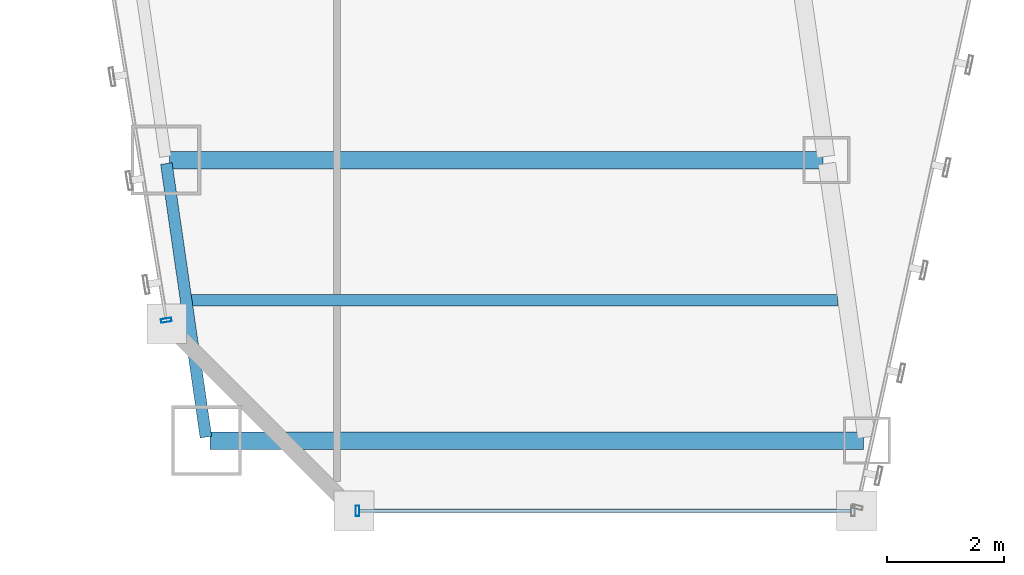
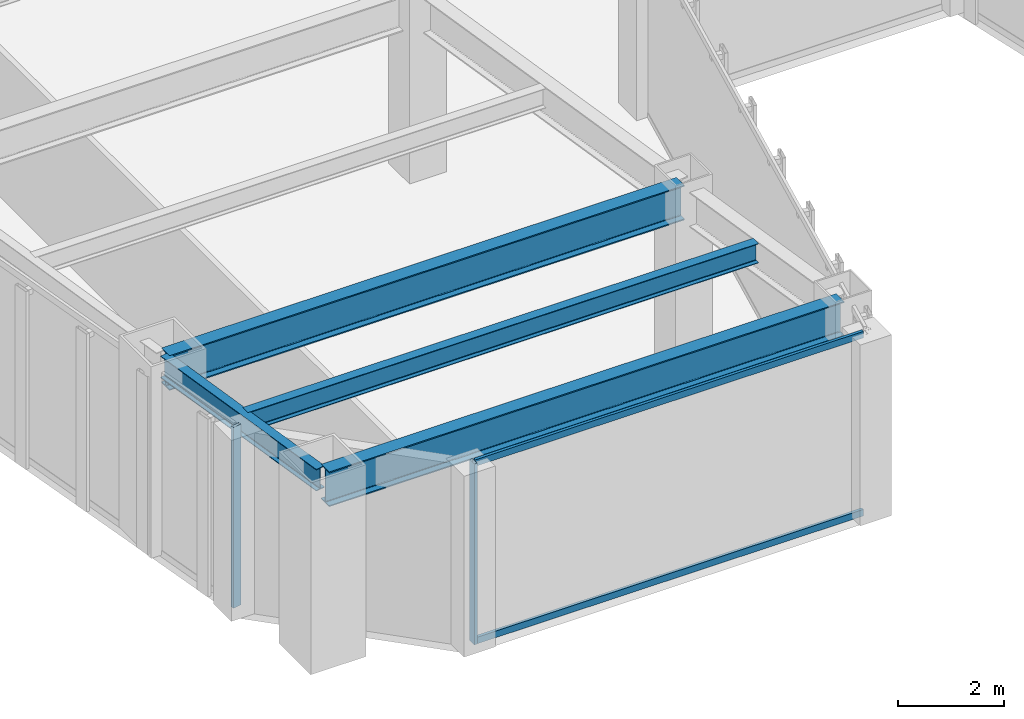
# One storey, part 4 of 47: 4 beams, 4 members, 2 elements without a shape of their own.
"""IFC4 building model written with IfcOpenShell, lengths in metres."""

from ifc_helpers import new_model, si_unit, direction, frame, origin, origin_2d, place, context, subcontext, project, spatial, hollow_rectangle, i_section, extrude, material, material_profile, profile_set, type_object, element, aggregate, save


model = new_model("IFC4")

# Units and contexts
model_context = context("Model", 3, precision=1e-05, world=origin(), true_north=direction((0.0, 1.0)))
body_context = subcontext(model_context, "Body", "Model", "MODEL_VIEW")
ifc_project = project(units=[si_unit("LENGTHUNIT", "METRE"), si_unit("AREAUNIT", "SQUARE_METRE"), si_unit("VOLUMEUNIT", "CUBIC_METRE"), si_unit("PLANEANGLEUNIT", "RADIAN"), si_unit("MASSUNIT", "GRAM", prefix="KILO")], contexts=[model_context])

# Site, building, storey
site_placement = place(None, origin())
site = spatial("IfcSite", under=ifc_project, at=site_placement, CompositionType="ELEMENT")
building_placement = place(site_placement, origin())
building = spatial("IfcBuilding", under=site, at=building_placement, Name="Saevonmaru Cultural Tower", CompositionType="ELEMENT")
storey_placement = place(building_placement, frame((0.0, 0.0, 64.800048828125)))
storey = spatial("IfcBuildingStorey", under=building, at=storey_placement, Name="L13", CompositionType="ELEMENT", Elevation=64.800048828125)

# Beams
ifc_material_1 = material(Name="Steel SM420", Category="steel")
ifc_material_profile_1 = material_profile(ifc_material_1, i_section(OverallWidth=0.300048828125, OverallDepth=0.800048828125, WebThickness=0.013916015625, FlangeThickness=0.02587890625, FilletRadius=0.028076171875, at=origin_2d()), Name="H-800x300x14x26")
ifc_profile_set_1 = profile_set([ifc_material_profile_1], Name="Steel SM420")
beam_type_1 = type_object("IfcBeamType", Name="BM-G-H800", PredefinedType="BEAM", material=ifc_profile_set_1)
for number, where, z_axis, x_axis, name in (
    (1, (12.537109375, 3.199951171875, 3.75), (1.0, 0.0, 0.0), (0.0, 1.0, 0.0), "L13 West Wing Transverse Girder 1"),
    (2, (11.843017578125, 8.0, 3.75), (1.0, 0.0, 0.0), (0.0, 1.0, 0.0), "L13 West Wing Transverse Girder 2"),
):
    element("IfcBeam", number, at=place(storey_placement, frame(where, z_axis=z_axis, x_axis=x_axis)), inside=storey, type_object=beam_type_1, Name=name, PredefinedType="BEAM", context=body_context, shape_type="SweptSolid", body=[
        extrude(i_section(OverallWidth=0.300048828125, OverallDepth=0.800048828125, WebThickness=0.013916015625, FlangeThickness=0.02587890625, FilletRadius=0.028076171875, at=origin_2d()), origin(), (0.0, 0.0, 1.0), 11.179931640625),
    ])
ifc_material_2 = material(Name="Steel SM355", Category="steel")
ifc_material_profile_2 = material_profile(ifc_material_2, i_section(OverallWidth=0.199951171875, OverallDepth=0.449951171875, WebThickness=0.009033203125, FlangeThickness=0.013916015625, FilletRadius=0.01806640625, at=origin_2d()), Name="H-450x200x9x14")
ifc_profile_set_2 = profile_set([ifc_material_profile_2], Name="Steel SM355")
beam_type_2 = type_object("IfcBeamType", Name="BM-J-H450", PredefinedType="JOIST", material=ifc_profile_set_2)
beam_1_placement = place(storey_placement, frame((12.18994140625, 5.60009765625, 3.925048828125), z_axis=(1.0, 0.0, 0.0), x_axis=(0.0, 1.0, 0.0)))
element("IfcBeam", 3, at=beam_1_placement, inside=storey, type_object=beam_type_2, Name="L13 West Wing Floor Joist 1", PredefinedType="JOIST", context=body_context, shape_type="SweptSolid", body=[
    extrude(i_section(OverallWidth=0.199951171875, OverallDepth=0.449951171875, WebThickness=0.009033203125, FlangeThickness=0.013916015625, FilletRadius=0.01806640625, at=origin_2d()), origin(), (0.0, 0.0, 1.0), 11.08203125),
])
ifc_material_profile_3 = material_profile(ifc_material_2, i_section(OverallWidth=0.199951171875, OverallDepth=0.5, WebThickness=0.010009765625, FlangeThickness=0.01611328125, FilletRadius=0.02001953125, at=origin_2d()), Name="H-500x200x10x16")
ifc_profile_set_3 = profile_set([ifc_material_profile_3], Name="Steel SM355")
beam_type_3 = type_object("IfcBeamType", Name="BM-SP-H500", PredefinedType="SPANDREL", material=ifc_profile_set_3)
beam_2_placement = place(storey_placement, frame((12.468505859375, 3.259521484375, 3.89990234375), z_axis=(-0.14313379491, 0.989703347855, 0.0), x_axis=(-0.989703347855, -0.14313379491, 0.0)))
element("IfcBeam", 4, at=beam_2_placement, inside=storey, type_object=beam_type_3, Name="L13 West Splayed Spandrel 1", PredefinedType="SPANDREL", context=body_context, shape_type="SweptSolid", body=[
    extrude(i_section(OverallWidth=0.199951171875, OverallDepth=0.5, WebThickness=0.010009765625, FlangeThickness=0.01611328125, FilletRadius=0.02001953125, at=origin_2d()), origin(), (0.0, 0.0, 1.0), 4.729736328125),
])

# Curtain wall, member
ifc_material_3 = material(Name="Satin Bronze Anodised Aluminium", Category="aluminium")
curtain_wall_type = type_object("IfcCurtainWallType", Name="CW-TYP-A", PredefinedType="NOTDEFINED", material=ifc_material_3)
curtain_wall_1_placement = place(storey_placement, origin())
curtain_wall_1 = element("IfcCurtainWall", 5, at=curtain_wall_1_placement, inside=storey, type_object=curtain_wall_type, Name="L13 Unitised Curtain Wall E2", PredefinedType="NOTDEFINED")
ifc_material_profile_4 = material_profile(ifc_material_3, hollow_rectangle(XDim=0.06494140625, YDim=0.179931640625, WallThickness=0.00390625, at=origin_2d()), Name="ALU-MULL-180x65x4")
ifc_profile_set_4 = profile_set([ifc_material_profile_4], Name="Satin Bronze Anodised Aluminium")
member_type_1 = type_object("IfcMemberType", Name="ML-CW-180x65", PredefinedType="MULLION", material=ifc_profile_set_4)
member_1_placement = place(storey_placement, frame((15.06005859375, 2.0, 0.0), z_axis=(0.0, 0.0, 1.0), x_axis=(1.0, 0.0, 0.0)))
member_1 = element("IfcMember", 6, at=member_1_placement, type_object=member_type_1, Name="CW-TW-L13-E2 mullion 1", PredefinedType="MULLION", context=body_context, shape_type="SweptSolid", body=[
    extrude(hollow_rectangle(XDim=0.06494140625, YDim=0.179931640625, WallThickness=0.00390625, at=origin_2d()), origin(), (0.0, 0.0, 1.0), 4.14990234375),
])

curtain_wall_2_placement = place(storey_placement, origin())
curtain_wall_2 = element("IfcCurtainWall", 7, at=curtain_wall_2_placement, inside=storey, type_object=curtain_wall_type, Name="L13 Unitised Curtain Wall E12", PredefinedType="NOTDEFINED")
member_2_placement = place(storey_placement, frame((11.790283203125, 5.25927734375, 0.0), z_axis=(0.0, 0.0, 1.0), x_axis=(0.161708868641, -0.986838508472, 0.0)))
member_2 = element("IfcMember", 8, at=member_2_placement, type_object=member_type_1, Name="CW-TW-L13-E12 mullion 5", PredefinedType="MULLION", context=body_context, shape_type="SweptSolid", body=[
    extrude(hollow_rectangle(XDim=0.06494140625, YDim=0.179931640625, WallThickness=0.00390625, at=origin_2d()), origin(), (0.0, 0.0, 1.0), 4.14990234375),
])
aggregate(curtain_wall_2, [member_2])

# Member
ifc_material_profile_5 = material_profile(ifc_material_3, hollow_rectangle(XDim=0.06494140625, YDim=0.14990234375, WallThickness=0.00390625, at=origin_2d()), Name="ALU-TRAN-150x65x4")
ifc_profile_set_5 = profile_set([ifc_material_profile_5], Name="Satin Bronze Anodised Aluminium")
member_type_2 = type_object("IfcMemberType", Name="TR-CW-150x65", PredefinedType="USERDEFINED", material=ifc_profile_set_5)
member_3_placement = place(storey_placement, frame((15.092529296875, 2.0, 0.032470703125), z_axis=(1.0, 0.0, 0.0), x_axis=(0.0, 1.0, 0.0)))
member_3 = element("IfcMember", 9, at=member_3_placement, type_object=member_type_2, Name="CW-TW-L13-E2 transom 1.1", ObjectType="TRANSOM", PredefinedType="USERDEFINED", context=body_context, shape_type="SweptSolid", body=[
    extrude(hollow_rectangle(XDim=0.06494140625, YDim=0.14990234375, WallThickness=0.00390625, at=origin_2d()), origin(), (0.0, 0.0, 1.0), 8.4150390625),
])

member_4_placement = place(storey_placement, frame((15.092529296875, 2.0, 4.117431640625), z_axis=(1.0, 0.0, 0.0), x_axis=(0.0, 1.0, 0.0)))
member_4 = element("IfcMember", 10, at=member_4_placement, type_object=member_type_2, Name="CW-TW-L13-E2 transom 1.2", ObjectType="TRANSOM", PredefinedType="USERDEFINED", context=body_context, shape_type="SweptSolid", body=[
    extrude(hollow_rectangle(XDim=0.06494140625, YDim=0.14990234375, WallThickness=0.00390625, at=origin_2d()), origin(), (0.0, 0.0, 1.0), 8.4150390625),
])

aggregate(curtain_wall_1, [member_1, member_3, member_4])

save(model, "model.ifc")
